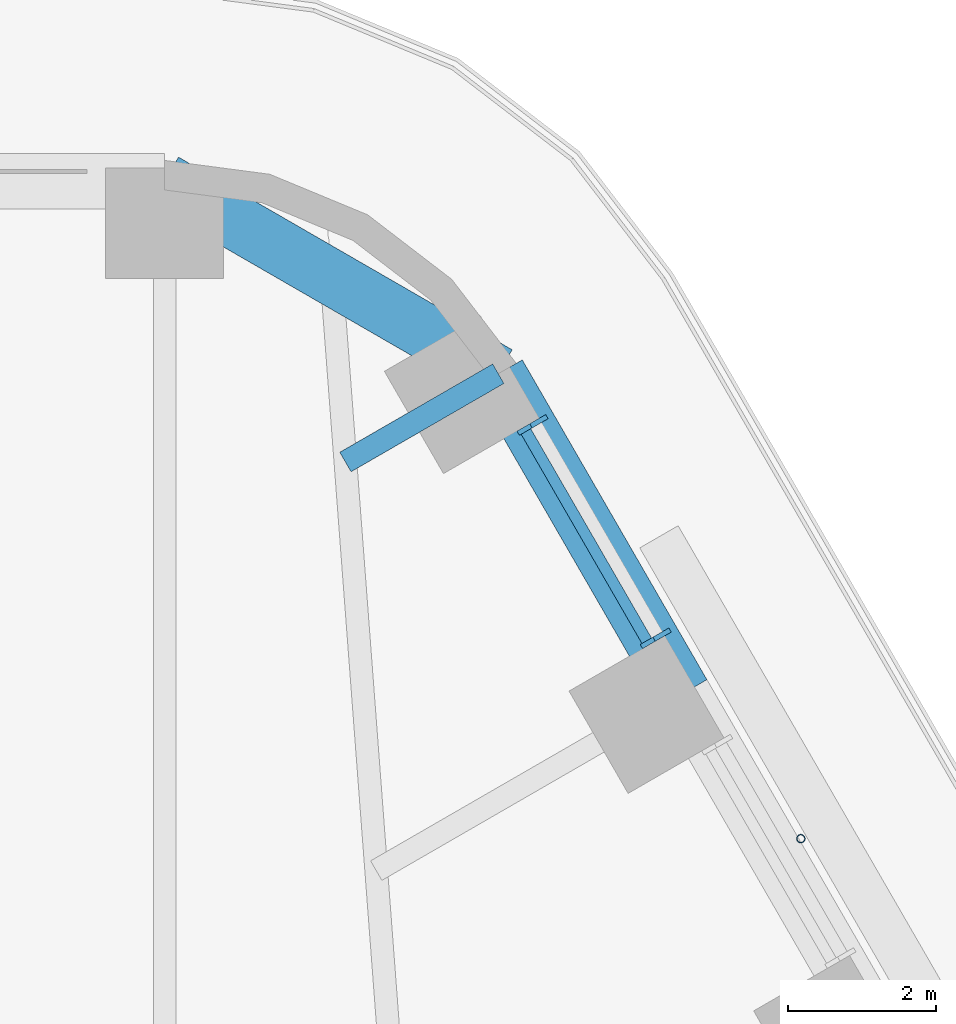
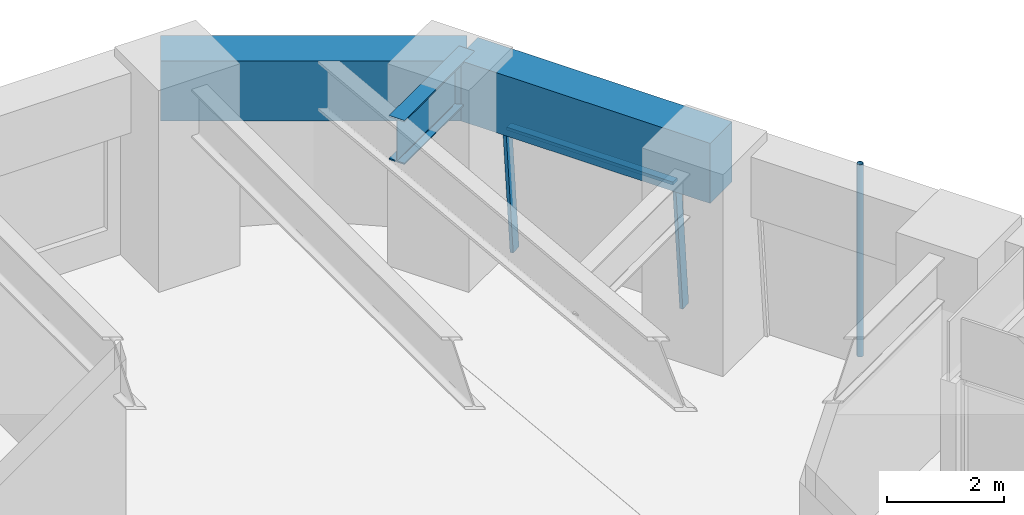
# One storey, part 13 of 24: 4 members, 3 beams, 1 element without a shape of its own.
"""IFC4 building model written with IfcOpenShell, lengths in metres."""

from ifc_helpers import new_model, si_unit, direction, frame, origin, origin_2d, place, context, subcontext, project, spatial, rectangle, hollow_circle, i_section, extrude, material, material_profile, profile_set, type_object, element, aggregate, save


model = new_model("IFC4")

# Units and contexts
model_context = context("Model", 3, precision=1e-05, world=origin(), true_north=direction((0.0, 1.0)))
body_context = subcontext(model_context, "Body", "Model", "MODEL_VIEW")
ifc_project = project(units=[si_unit("LENGTHUNIT", "METRE"), si_unit("AREAUNIT", "SQUARE_METRE"), si_unit("VOLUMEUNIT", "CUBIC_METRE"), si_unit("PLANEANGLEUNIT", "RADIAN"), si_unit("MASSUNIT", "GRAM", prefix="KILO")], contexts=[model_context])

# Site, building, storey
site_placement = place(None, origin())
site = spatial("IfcSite", under=ifc_project, at=site_placement, CompositionType="ELEMENT")
building_placement = place(site_placement, origin())
building = spatial("IfcBuilding", under=site, at=building_placement, Name="Tarfa Lantern Tower", CompositionType="ELEMENT")
storey_placement = place(building_placement, frame((0.0, 0.0, 140.5)))
storey = spatial("IfcBuildingStorey", under=building, at=storey_placement, Name="L31", CompositionType="ELEMENT", Elevation=140.5)

# Curtain wall, members
ifc_material_1 = material(Name="Aluminium framed curtain wall", Category="aluminium")
curtain_wall_type = type_object("IfcCurtainWallType", Name="CW2 CANTED GLAZING MID ZONE 2750", PredefinedType="USERDEFINED", material=ifc_material_1)
curtain_wall_placement = place(storey_placement, origin())
curtain_wall = element("IfcCurtainWall", 1, at=curtain_wall_placement, inside=storey, type_object=curtain_wall_type, Name="CW2 NEB L31", ObjectType="CURTAIN WALL", PredefinedType="USERDEFINED")
ifc_material_2 = material(Name="Aluminium mullion", Category="aluminium")
ifc_material_profile_1 = material_profile(ifc_material_2, rectangle(XDim=0.06494140625, YDim=0.199951171875, at=origin_2d()), Name="AL MULLION 65x200")
ifc_profile_set_1 = profile_set([ifc_material_profile_1], Name="Aluminium mullion")
member_type_1 = type_object("IfcMemberType", Name="CWM1 MULLION 65x200", PredefinedType="MULLION", material=ifc_profile_set_1)
member_1_placement = place(storey_placement, frame((21.773193359375, 25.087646484375, 0.0), z_axis=(-0.078422950161, -0.045267813396, 0.995891894715), x_axis=(0.499919672301, -0.866071776036, 0.0)))
member_1 = element("IfcMember", 2, at=member_1_placement, type_object=member_type_1, Name="CW2 mullion 1", PredefinedType="MULLION", context=body_context, shape_type="SweptSolid", body=[
    extrude(rectangle(XDim=0.06494140625, YDim=0.199951171875, at=origin_2d()), origin(), (0.0, 0.0, 1.0), 2.76123046875),
])
member_2_placement = place(storey_placement, frame((20.10400390625, 27.97900390625, 0.0), z_axis=(-0.078422950161, -0.045267813396, 0.995891894715), x_axis=(0.499919672301, -0.866071776036, 0.0)))
member_2 = element("IfcMember", 3, at=member_2_placement, type_object=member_type_1, Name="CW2 mullion 2", PredefinedType="MULLION", context=body_context, shape_type="SweptSolid", body=[
    extrude(rectangle(XDim=0.06494140625, YDim=0.199951171875, at=origin_2d()), origin(), (0.0, 0.0, 1.0), 2.76123046875),
])
ifc_material_3 = material(Name="Aluminium transom", Category="aluminium")
ifc_material_profile_2 = material_profile(ifc_material_3, rectangle(XDim=0.14990234375, YDim=0.06494140625, at=origin_2d()), Name="AL TRANSOM 150x65")
ifc_profile_set_2 = profile_set([ifc_material_profile_2], Name="Aluminium transom")
member_type_2 = type_object("IfcMemberType", Name="CWT1 TRANSOM 150x65", PredefinedType="USERDEFINED", material=ifc_profile_set_2)
member_3_placement = place(storey_placement, frame((21.54296875, 24.9921875, 2.717529296875), z_axis=(-0.499957005835, 0.866050225054, 0.0), x_axis=(-0.866050225054, -0.499957005835, 0.0)))
member_3 = element("IfcMember", 4, at=member_3_placement, type_object=member_type_2, Name="CW2 transom 1.2", ObjectType="TRANSOM", PredefinedType="USERDEFINED", context=body_context, shape_type="SweptSolid", body=[
    extrude(rectangle(XDim=0.14990234375, YDim=0.06494140625, at=origin_2d()), origin(), (0.0, 0.0, 1.0), 3.273681640625),
])
aggregate(curtain_wall, [member_1, member_2, member_3])

# Beams
ifc_material_4 = material(Name="Concrete C80/95", Category="concrete")
ifc_material_profile_3 = material_profile(ifc_material_4, rectangle(XDim=0.75, YDim=1.25, at=origin_2d()), Name="RC 750x1250")
ifc_profile_set_3 = profile_set([ifc_material_profile_3], Name="Concrete C80/95")
beam_type_1 = type_object("IfcBeamType", Name="EB2 RC 750x1250", PredefinedType="SPANDREL", material=ifc_profile_set_3)
beam_1_placement = place(storey_placement, frame((22.03369140625, 24.276611328125, 3.375), z_axis=(-0.500001197378, 0.866024712477, 0.0), x_axis=(-0.866024712477, -0.500001197378, 0.0)))
element("IfcBeam", 5, at=beam_1_placement, inside=storey, type_object=beam_type_1, Name="Edge beam NE5", PredefinedType="SPANDREL", context=body_context, shape_type="SweptSolid", body=[
    extrude(rectangle(XDim=0.75, YDim=1.25, at=origin_2d()), origin(), (0.0, 0.0, 1.0), 5.00390625),
])
beam_2_placement = place(storey_placement, frame((19.53173828125, 28.610107421875, 3.375), z_axis=(-0.86604150238, 0.499972115377, 0.0), x_axis=(-0.499972115377, -0.86604150238, 0.0)))
element("IfcBeam", 6, at=beam_2_placement, inside=storey, type_object=beam_type_1, Name="Edge beam NE6", PredefinedType="SPANDREL", context=body_context, shape_type="SweptSolid", body=[
    extrude(rectangle(XDim=0.75, YDim=1.25, at=origin_2d()), origin(), (0.0, 0.0, 1.0), 5.219970703125),
])

# Member
ifc_material_5 = material(Name="Steel S355", Category="steel")
ifc_material_profile_4 = material_profile(ifc_material_5, hollow_circle(Radius=0.05712890625, WallThickness=0.00634765625, at=origin_2d()), Name="CHS114.3x6.3")
ifc_profile_set_4 = profile_set([ifc_material_profile_4], Name="Steel S355")
member_type_3 = type_object("IfcMemberType", Name="TR1 GREEN WALL TRELLIS CHS114.3x6.3", PredefinedType="USERDEFINED", material=ifc_profile_set_4)
member_4_placement = place(storey_placement, frame((23.630859375, 22.31005859375, 0.0), z_axis=(0.0, 0.0, 1.0), x_axis=(1.0, 0.0, 0.0)))
element("IfcMember", 7, at=member_4_placement, inside=storey, type_object=member_type_3, Name="Trellis post NE 2", ObjectType="TRELLIS", PredefinedType="USERDEFINED", context=body_context, shape_type="SweptSolid", body=[
    extrude(hollow_circle(Radius=0.05712890625, WallThickness=0.00634765625, at=origin_2d()), origin(), (0.0, 0.0, 1.0), 4.0),
])

# Beam
ifc_material_6 = material(Name="Steel S460M", Category="steel")
ifc_material_profile_5 = material_profile(ifc_material_6, i_section(OverallWidth=0.305419921875, OverallDepth=0.91845703125, WebThickness=0.017333984375, FlangeThickness=0.02783203125, FilletRadius=0.01904296875, at=origin_2d()), Name="UB914x305x253")
ifc_profile_set_5 = profile_set([ifc_material_profile_5], Name="Steel S460M")
beam_type_2 = type_object("IfcBeamType", Name="UB914x305x253", PredefinedType="BEAM", material=ifc_profile_set_5)
beam_3_placement = place(storey_placement, frame((19.53173828125, 28.610107421875, 3.540771484375), z_axis=(-0.865998640954, -0.500046351717, 0.0), x_axis=(0.500046351717, -0.865998640954, 0.0)))
element("IfcBeam", 8, at=beam_3_placement, inside=storey, type_object=beam_type_2, Name="Floor beam NE6", PredefinedType="BEAM", context=body_context, shape_type="SweptSolid", body=[
    extrude(i_section(OverallWidth=0.305419921875, OverallDepth=0.91845703125, WebThickness=0.017333984375, FlangeThickness=0.02783203125, FilletRadius=0.01904296875, at=origin_2d()), origin(), (0.0, 0.0, 1.0), 2.392333984375),
])

save(model, "model.ifc")
